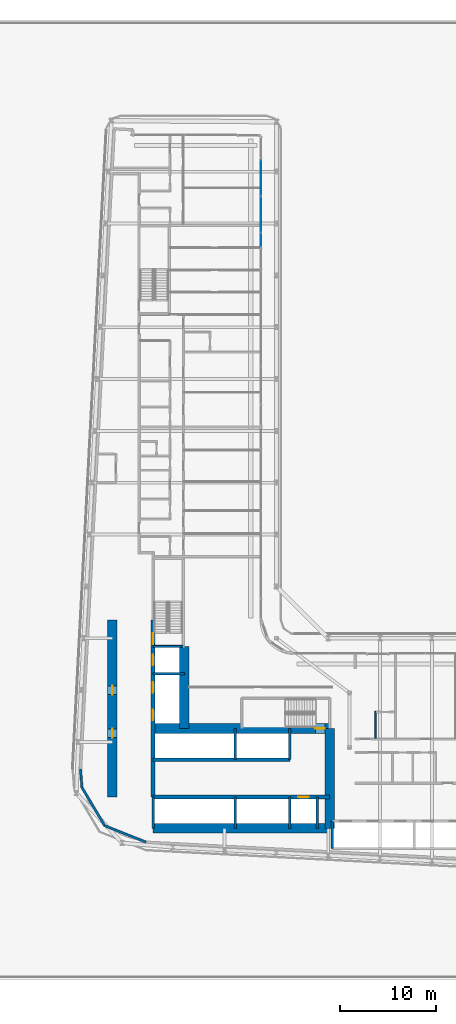
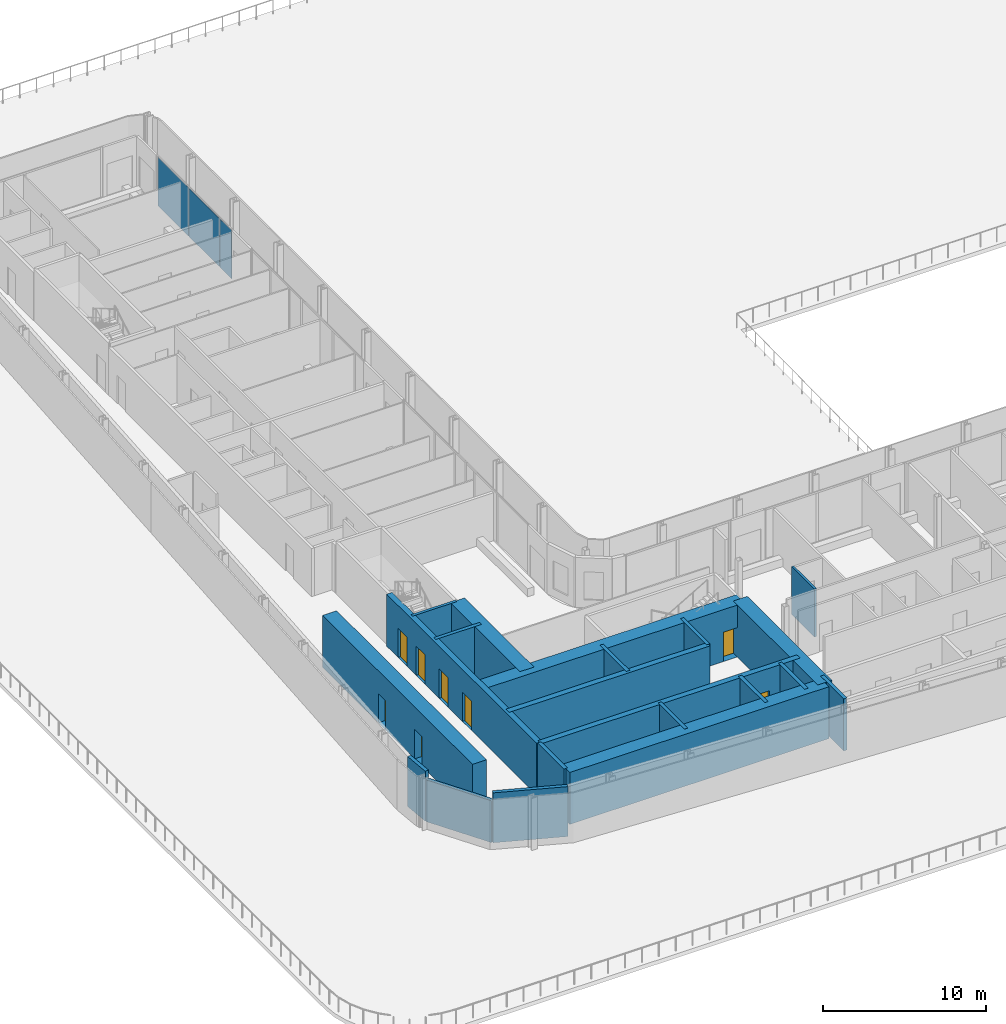
# One storey, part 12 of 27: 21 walls, 8 doors, 3 plates, 8 openings, 2 elements without a shape of their own.
"""IFC4 building model written with IfcOpenShell, lengths in metres."""

from ifc_helpers import new_model, si_unit, direction, frame, frame_2d, origin, origin_2d, place, context, subcontext, project, spatial, rectangle, extrude, source, transform, mapped, material, layer, layer_set, type_object, element, fill, aggregate, save


model = new_model("IFC4")

# Units and contexts
model_context = context("Model", 3, precision=1e-05, world=origin(), true_north=direction((0.0, 1.0)))
body_context = subcontext(model_context, "Body", "Model", "MODEL_VIEW")
ifc_project = project(units=[si_unit("LENGTHUNIT", "METRE"), si_unit("AREAUNIT", "SQUARE_METRE"), si_unit("VOLUMEUNIT", "CUBIC_METRE"), si_unit("PLANEANGLEUNIT", "RADIAN"), si_unit("MASSUNIT", "GRAM", prefix="KILO")], contexts=[model_context])

# Site, building, storey
site_placement = place(None, origin())
site = spatial("IfcSite", under=ifc_project, at=site_placement, CompositionType="ELEMENT")
building_placement = place(site_placement, origin())
building = spatial("IfcBuilding", under=site, at=building_placement, Name="Kheshtan School and Residences Tower", CompositionType="ELEMENT")
storey_placement = place(building_placement, frame((0.0, 0.0, 30.5)))
storey = spatial("IfcBuildingStorey", under=building, at=storey_placement, Name="L06", CompositionType="ELEMENT", Elevation=30.5)

# Curtain wall, plates
ifc_material_1 = material(Name="Clear low-e glass in thermally broken aluminium frame", Category="aluminium")
ifc_layer_1 = layer(ifc_material_1, 0.199951171875)
ifc_layer_set_1 = layer_set([ifc_layer_1], Name="Curtain wall CW-L")
curtain_wall_type = type_object("IfcCurtainWallType", Name="Curtain wall CW-L", PredefinedType="NOTDEFINED", material=ifc_layer_set_1)
curtain_wall_1_placement = place(storey_placement, origin())
curtain_wall_1 = element("IfcCurtainWall", 1, at=curtain_wall_1_placement, inside=storey, type_object=curtain_wall_type, Name="Curtain wall CWL8", PredefinedType="NOTDEFINED")
ifc_layer_2 = layer(ifc_material_1, 0.031982421875)
ifc_layer_set_2 = layer_set([ifc_layer_2], Name="CW-L glass panel")
plate_type = type_object("IfcPlateType", Name="CW-L glass panel", PredefinedType="CURTAIN_PANEL", material=ifc_layer_set_2)
plate_1_placement = place(storey_placement, frame((46.0, 93.5615234375, 0.0), z_axis=(0.0, 0.0, 1.0), x_axis=(0.0, -1.0, 0.0)))
plate_1 = element("IfcPlate", 2, at=plate_1_placement, type_object=plate_type, Name="CWL8 panel 1.1", PredefinedType="CURTAIN_PANEL", context=body_context, shape_type="SweptSolid", body=[
    extrude(rectangle(XDim=3.757080078125, YDim=0.031982421875, at=origin_2d()), origin(), (0.0, 0.0, 1.0), 3.6298828125),
])
plate_2_placement = place(storey_placement, frame((46.0, 89.744384765625, 0.0), z_axis=(0.0, 0.0, 1.0), x_axis=(0.0, -1.0, 0.0)))
plate_2 = element("IfcPlate", 3, at=plate_2_placement, type_object=plate_type, Name="CWL8 panel 2.1", PredefinedType="CURTAIN_PANEL", context=body_context, shape_type="SweptSolid", body=[
    extrude(rectangle(XDim=3.757080078125, YDim=0.031982421875, at=origin_2d()), origin(), (0.0, 0.0, 1.0), 3.6298828125),
])
aggregate(curtain_wall_1, [plate_1, plate_2])

# Curtain wall, plate
curtain_wall_2_placement = place(storey_placement, origin())
curtain_wall_2 = element("IfcCurtainWall", 4, at=curtain_wall_2_placement, inside=storey, type_object=curtain_wall_type, Name="Curtain wall CWL8a", PredefinedType="NOTDEFINED")
plate_3_placement = place(storey_placement, frame((46.0, 87.0859375, 0.0), z_axis=(0.0, 0.0, 1.0), x_axis=(0.0, -1.0, 0.0)))
plate_3 = element("IfcPlate", 5, at=plate_3_placement, type_object=plate_type, Name="CWL8a panel 1.1", PredefinedType="CURTAIN_PANEL", context=body_context, shape_type="SweptSolid", body=[
    extrude(rectangle(XDim=1.43994140625, YDim=0.031982421875, at=origin_2d()), origin(), (0.0, 0.0, 1.0), 3.6298828125),
])
aggregate(curtain_wall_2, [plate_3])

# Wall
ifc_material_2 = material(Name="Concrete C80/95", Category="concrete")
ifc_layer_3 = layer(ifc_material_2, 1.0)
ifc_layer_set_3 = layer_set([ifc_layer_3], Name="Core wall 1000 Concrete C80/95")
wall_type_1 = type_object("IfcWallType", Name="Core wall 1000 Concrete C80/95", PredefinedType="SHEAR", material=ifc_layer_set_3)
wall_1_placement = place(storey_placement, frame((34.75, 25.800048828125, 0.0), z_axis=(0.0, 0.0, 1.0), x_axis=(1.0, 0.0, 0.0)))
element("IfcWall", 6, at=wall_1_placement, inside=storey, type_object=wall_type_1, Name="Core wall CW-REAR-S", PredefinedType="SHEAR", context=body_context, shape_type="SweptSolid", body=[
    extrude(rectangle(XDim=18.39990234375, YDim=1.0, at=frame_2d((9.199951171875, 0.0))), origin(), (0.0, 0.0, 1.0), 3.89990234375),
])

# Wall, opening, door
wall_2_placement = place(storey_placement, frame((34.75, 36.199951171875, 0.0), z_axis=(0.0, 0.0, 1.0), x_axis=(1.0, 0.0, 0.0)))
wall_2 = element("IfcWall", 7, at=wall_2_placement, inside=storey, type_object=wall_type_1, Name="Core wall CW-FRONT-S", PredefinedType="SHEAR", context=body_context, shape_type="SweptSolid", body=[
    extrude(rectangle(XDim=18.39990234375, YDim=1.0, at=frame_2d((9.199951171875, 0.0))), origin(), (0.0, 0.0, 1.0), 3.89990234375),
])
opening_1_placement = place(wall_2_placement, frame((16.89990234375, 0.0, 0.0)))
opening_1 = element("IfcOpeningElement", 8, at=opening_1_placement, cuts=wall_2, Name="Opening ST1D", PredefinedType="OPENING", context=body_context, shape_type="SweptSolid", body=[
    extrude(rectangle(XDim=1.0, YDim=2.199951171875, at=frame_2d((0.5, 1.10009765625))), frame((0.0, 0.510009765625, 0.0), z_axis=(0.0, -1.0, 0.0), x_axis=(1.0, 0.0, 0.0)), (0.0, 0.0, 1.0), 1.02001953125),
])
ifc_material_3 = material(Name="Steel door leaf, galvanised", Category="steel")
door_type_1 = type_object("IfcDoorType", Name="Stair door 1100 steel 90 min", OperationType="SINGLE_SWING_LEFT", PredefinedType="DOOR", material=ifc_material_3)
shared_shape_1 = source(origin(), body_context, "Body", "SweptSolid", [
    extrude(rectangle(XDim=1.0, YDim=2.199951171875, at=frame_2d((0.5, 1.10009765625))), frame((0.0, 0.02490234375, 0.0), z_axis=(0.0, -1.0, 0.0), x_axis=(1.0, 0.0, 0.0)), (0.0, 0.0, 1.0), 0.050048828125),
])
door_1_placement = place(opening_1_placement, origin())
door_1 = element("IfcDoor", 9, at=door_1_placement, inside=storey, type_object=door_type_1, Name="Stair ST1 door", OperationType="SINGLE_SWING_RIGHT", OverallHeight=2.199951171875, OverallWidth=1.0, PredefinedType="DOOR", context=body_context, shape_type="MappedRepresentation", body=[
    mapped(shared_shape_1, transform((0.0, 0.0, 0.0), x_axis=(1.0, 0.0, 0.0), y_axis=(0.0, 1.0, 0.0), z_axis=(0.0, 0.0, 1.0), scale=1.0)),
])
fill(opening_1, door_1)

# Wall
wall_3_placement = place(storey_placement, frame((38.0, 36.199951171875, 0.0), z_axis=(0.0, 0.0, 1.0), x_axis=(0.0, 1.0, 0.0)))
element("IfcWall", 10, at=wall_3_placement, inside=storey, type_object=wall_type_1, Name="Core wall CW-FRONT-W", PredefinedType="SHEAR", context=body_context, shape_type="SweptSolid", body=[
    extrude(rectangle(XDim=8.550048828125, YDim=1.0, at=frame_2d((4.27490234375, 0.0))), origin(), (0.0, 0.0, 1.0), 3.89990234375),
])

# Wall, openings, doors
wall_4_placement = place(storey_placement, frame((30.5, 29.050048828125, 0.0), z_axis=(0.0, 0.0, 1.0), x_axis=(0.0, 1.0, 0.0)))
wall_4 = element("IfcWall", 11, at=wall_4_placement, inside=storey, type_object=wall_type_1, Name="Core wall CW-REAR-W", PredefinedType="SHEAR", context=body_context, shape_type="SweptSolid", body=[
    extrude(rectangle(XDim=18.449951171875, YDim=1.0, at=frame_2d((9.22509765625, 0.0))), origin(), (0.0, 0.0, 1.0), 3.89990234375),
])
opening_2_placement = place(wall_4_placement, frame((6.2099609375, 0.0, 0.0)))
opening_2 = element("IfcOpeningElement", 12, at=opening_2_placement, cuts=wall_4, Name="Opening SR90", PredefinedType="OPENING", context=body_context, shape_type="SweptSolid", body=[
    extrude(rectangle(XDim=0.89990234375, YDim=2.199951171875, at=frame_2d((0.449951171875, 1.10009765625))), frame((0.0, 0.510009765625, 0.0), z_axis=(0.0, -1.0, 0.0), x_axis=(1.0, 0.0, 0.0)), (0.0, 0.0, 1.0), 1.02001953125),
])
opening_3_placement = place(wall_4_placement, frame((10.68408203125, 0.0, 0.0)))
opening_3 = element("IfcOpeningElement", 13, at=opening_3_placement, cuts=wall_4, Name="Opening SR90", PredefinedType="OPENING", context=body_context, shape_type="SweptSolid", body=[
    extrude(rectangle(XDim=0.89990234375, YDim=2.199951171875, at=frame_2d((0.449951171875, 1.10009765625))), frame((0.0, 0.510009765625, 0.0), z_axis=(0.0, -1.0, 0.0), x_axis=(1.0, 0.0, 0.0)), (0.0, 0.0, 1.0), 1.02001953125),
])
door_type_2 = type_object("IfcDoorType", Name="Service room door 900 steel 90 min", OperationType="SINGLE_SWING_LEFT", PredefinedType="DOOR", material=ifc_material_3)
shared_shape_2 = source(origin(), body_context, "Body", "SweptSolid", [
    extrude(rectangle(XDim=0.89990234375, YDim=2.199951171875, at=frame_2d((0.449951171875, 1.10009765625))), frame((0.0, 0.02490234375, 0.0), z_axis=(0.0, -1.0, 0.0), x_axis=(1.0, 0.0, 0.0)), (0.0, 0.0, 1.0), 0.050048828125),
])
door_2_placement = place(opening_2_placement, origin())
door_2 = element("IfcDoor", 14, at=door_2_placement, inside=storey, type_object=door_type_2, Name="Service room door", OperationType="SINGLE_SWING_RIGHT", OverallHeight=2.199951171875, OverallWidth=0.89990234375, PredefinedType="DOOR", context=body_context, shape_type="MappedRepresentation", body=[
    mapped(shared_shape_2, transform((0.0, 0.0, 0.0), x_axis=(1.0, 0.0, 0.0), y_axis=(0.0, 1.0, 0.0), z_axis=(0.0, 0.0, 1.0), scale=1.0)),
])
fill(opening_2, door_2)
door_3_placement = place(opening_3_placement, origin())
door_3 = element("IfcDoor", 15, at=door_3_placement, inside=storey, type_object=door_type_2, Name="Service room door", OperationType="SINGLE_SWING_LEFT", OverallHeight=2.199951171875, OverallWidth=0.89990234375, PredefinedType="DOOR", context=body_context, shape_type="MappedRepresentation", body=[
    mapped(shared_shape_2, transform((0.0, 0.0, 0.0), x_axis=(1.0, 0.0, 0.0), y_axis=(0.0, 1.0, 0.0), z_axis=(0.0, 0.0, 1.0), scale=1.0)),
])
fill(opening_3, door_3)

# Wall
wall_5_placement = place(storey_placement, frame((53.14990234375, 25.800048828125, 0.0), z_axis=(0.0, 0.0, 1.0), x_axis=(0.0, 1.0, 0.0)))
element("IfcWall", 16, at=wall_5_placement, inside=storey, type_object=wall_type_1, Name="Core wall CW-EAST", PredefinedType="SHEAR", context=body_context, shape_type="SweptSolid", body=[
    extrude(rectangle(XDim=10.39990234375, YDim=1.0, at=frame_2d((5.199951171875, 0.0))), origin(), (0.0, 0.0, 1.0), 3.89990234375),
])

# Wall, opening, door
ifc_material_4 = material(Name="Concrete C50/60", Category="concrete")
ifc_layer_4 = layer(ifc_material_4, 0.39990234375)
ifc_layer_set_4 = layer_set([ifc_layer_4], Name="Core wall 400 Concrete C50/60")
wall_type_2 = type_object("IfcWallType", Name="Core wall 400 Concrete C50/60", PredefinedType="SHEAR", material=ifc_layer_set_4)
wall_6_placement = place(storey_placement, frame((34.75, 29.050048828125, 0.0), z_axis=(0.0, 0.0, 1.0), x_axis=(1.0, 0.0, 0.0)))
wall_6 = element("IfcWall", 17, at=wall_6_placement, inside=storey, type_object=wall_type_2, Name="Core wall CW-HALL-S1", PredefinedType="SHEAR", context=body_context, shape_type="SweptSolid", body=[
    extrude(rectangle(XDim=18.39990234375, YDim=0.39990234375, at=frame_2d((9.199951171875, 0.0))), origin(), (0.0, 0.0, 1.0), 3.89990234375),
])
opening_4_placement = place(wall_6_placement, frame((15.125, 0.0, 0.0)))
opening_4 = element("IfcOpeningElement", 18, at=opening_4_placement, cuts=wall_6, Name="Opening LD", PredefinedType="OPENING", context=body_context, shape_type="SweptSolid", body=[
    extrude(rectangle(XDim=1.10009765625, YDim=2.199951171875, at=frame_2d((0.550048828125, 1.10009765625))), frame((0.0, 0.2099609375, 0.0), z_axis=(0.0, -1.0, 0.0), x_axis=(1.0, 0.0, 0.0)), (0.0, 0.0, 1.0), 0.419921875),
])
ifc_material_5 = material(Name="Stainless steel door leaves", Category="steel")
door_type_3 = type_object("IfcDoorType", Name="Lift landing door 1100", OperationType="SLIDING_TO_LEFT", PredefinedType="DOOR", material=ifc_material_5)
shared_shape_3 = source(origin(), body_context, "Body", "SweptSolid", [
    extrude(rectangle(XDim=1.10009765625, YDim=2.199951171875, at=frame_2d((0.550048828125, 1.10009765625))), frame((0.0, 0.02490234375, 0.0), z_axis=(0.0, -1.0, 0.0), x_axis=(1.0, 0.0, 0.0)), (0.0, 0.0, 1.0), 0.050048828125),
])
door_4_placement = place(opening_4_placement, origin())
door_4 = element("IfcDoor", 19, at=door_4_placement, inside=storey, type_object=door_type_3, Name="Lift FFL2 landing door", OperationType="SLIDING_TO_LEFT", OverallHeight=2.199951171875, OverallWidth=1.10009765625, PredefinedType="DOOR", context=body_context, shape_type="MappedRepresentation", body=[
    mapped(shared_shape_3, transform((0.0, 0.0, 0.0), x_axis=(1.0, 0.0, 0.0), y_axis=(0.0, 1.0, 0.0), z_axis=(0.0, 0.0, 1.0), scale=1.0)),
])
fill(opening_4, door_4)

# Wall
wall_7_placement = place(storey_placement, frame((34.75, 32.949951171875, 0.0), z_axis=(0.0, 0.0, 1.0), x_axis=(1.0, 0.0, 0.0)))
element("IfcWall", 20, at=wall_7_placement, inside=storey, type_object=wall_type_2, Name="Core wall CW-HALL-S2", PredefinedType="SHEAR", context=body_context, shape_type="SweptSolid", body=[
    extrude(rectangle(XDim=14.25, YDim=0.39990234375, at=frame_2d((7.125, 0.0))), origin(), (0.0, 0.0, 1.0), 3.89990234375),
])

# Wall, openings, doors
wall_8_placement = place(storey_placement, frame((34.75, 29.050048828125, 0.0), z_axis=(0.0, 0.0, 1.0), x_axis=(0.0, 1.0, 0.0)))
wall_8 = element("IfcWall", 21, at=wall_8_placement, inside=storey, type_object=wall_type_2, Name="Core wall CW-HALL-W1", PredefinedType="SHEAR", context=body_context, shape_type="SweptSolid", body=[
    extrude(rectangle(XDim=18.449951171875, YDim=0.39990234375, at=frame_2d((9.22509765625, 0.0))), origin(), (0.0, 0.0, 1.0), 3.89990234375),
])
opening_5_placement = place(wall_8_placement, frame((8.02490234375, 0.0, 0.0)))
opening_5 = element("IfcOpeningElement", 22, at=opening_5_placement, cuts=wall_8, Name="Opening LD", PredefinedType="OPENING", context=body_context, shape_type="SweptSolid", body=[
    extrude(rectangle(XDim=1.10009765625, YDim=2.199951171875, at=frame_2d((0.550048828125, 1.10009765625))), frame((0.0, 0.2099609375, 0.0), z_axis=(0.0, -1.0, 0.0), x_axis=(1.0, 0.0, 0.0)), (0.0, 0.0, 1.0), 0.419921875),
])
opening_6_placement = place(wall_8_placement, frame((10.875, 0.0, 0.0)))
opening_6 = element("IfcOpeningElement", 23, at=opening_6_placement, cuts=wall_8, Name="Opening LD", PredefinedType="OPENING", context=body_context, shape_type="SweptSolid", body=[
    extrude(rectangle(XDim=1.10009765625, YDim=2.199951171875, at=frame_2d((0.550048828125, 1.10009765625))), frame((0.0, 0.2099609375, 0.0), z_axis=(0.0, -1.0, 0.0), x_axis=(1.0, 0.0, 0.0)), (0.0, 0.0, 1.0), 0.419921875),
])
opening_7_placement = place(wall_8_placement, frame((13.72509765625, 0.0, 0.0)))
opening_7 = element("IfcOpeningElement", 24, at=opening_7_placement, cuts=wall_8, Name="Opening LD", PredefinedType="OPENING", context=body_context, shape_type="SweptSolid", body=[
    extrude(rectangle(XDim=1.10009765625, YDim=2.199951171875, at=frame_2d((0.550048828125, 1.10009765625))), frame((0.0, 0.2099609375, 0.0), z_axis=(0.0, -1.0, 0.0), x_axis=(1.0, 0.0, 0.0)), (0.0, 0.0, 1.0), 0.419921875),
])
opening_8_placement = place(wall_8_placement, frame((15.949951171875, 0.0, 0.0)))
opening_8 = element("IfcOpeningElement", 25, at=opening_8_placement, cuts=wall_8, Name="Opening ST2D", PredefinedType="OPENING", context=body_context, shape_type="SweptSolid", body=[
    extrude(rectangle(XDim=1.10009765625, YDim=2.199951171875, at=frame_2d((0.550048828125, 1.10009765625))), frame((0.0, 0.2099609375, 0.0), z_axis=(0.0, -1.0, 0.0), x_axis=(1.0, 0.0, 0.0)), (0.0, 0.0, 1.0), 0.419921875),
])
door_5_placement = place(opening_5_placement, origin())
door_5 = element("IfcDoor", 26, at=door_5_placement, inside=storey, type_object=door_type_3, Name="Lift SV1 landing door", OperationType="SLIDING_TO_LEFT", OverallHeight=2.199951171875, OverallWidth=1.10009765625, PredefinedType="DOOR", context=body_context, shape_type="MappedRepresentation", body=[
    mapped(shared_shape_3, transform((0.0, 0.0, 0.0), x_axis=(1.0, 0.0, 0.0), y_axis=(0.0, 1.0, 0.0), z_axis=(0.0, 0.0, 1.0), scale=1.0)),
])
fill(opening_5, door_5)
door_6_placement = place(opening_6_placement, origin())
door_6 = element("IfcDoor", 27, at=door_6_placement, inside=storey, type_object=door_type_3, Name="Lift SV2 landing door", OperationType="SLIDING_TO_LEFT", OverallHeight=2.199951171875, OverallWidth=1.10009765625, PredefinedType="DOOR", context=body_context, shape_type="MappedRepresentation", body=[
    mapped(shared_shape_3, transform((0.0, 0.0, 0.0), x_axis=(1.0, 0.0, 0.0), y_axis=(0.0, 1.0, 0.0), z_axis=(0.0, 0.0, 1.0), scale=1.0)),
])
fill(opening_6, door_6)
door_7_placement = place(opening_7_placement, origin())
door_7 = element("IfcDoor", 28, at=door_7_placement, inside=storey, type_object=door_type_3, Name="Lift FFL1 landing door", OperationType="SLIDING_TO_LEFT", OverallHeight=2.199951171875, OverallWidth=1.10009765625, PredefinedType="DOOR", context=body_context, shape_type="MappedRepresentation", body=[
    mapped(shared_shape_3, transform((0.0, 0.0, 0.0), x_axis=(1.0, 0.0, 0.0), y_axis=(0.0, 1.0, 0.0), z_axis=(0.0, 0.0, 1.0), scale=1.0)),
])
fill(opening_7, door_7)
shared_shape_4 = source(origin(), body_context, "Body", "SweptSolid", [
    extrude(rectangle(XDim=1.10009765625, YDim=2.199951171875, at=frame_2d((0.550048828125, 1.10009765625))), frame((0.0, 0.02490234375, 0.0), z_axis=(0.0, -1.0, 0.0), x_axis=(1.0, 0.0, 0.0)), (0.0, 0.0, 1.0), 0.050048828125),
])
door_8_placement = place(opening_8_placement, origin())
door_8 = element("IfcDoor", 29, at=door_8_placement, inside=storey, type_object=door_type_1, Name="Stair ST2 door", OperationType="SINGLE_SWING_RIGHT", OverallHeight=2.199951171875, OverallWidth=1.10009765625, PredefinedType="DOOR", context=body_context, shape_type="MappedRepresentation", body=[
    mapped(shared_shape_4, transform((0.0, 0.0, 0.0), x_axis=(1.0, 0.0, 0.0), y_axis=(0.0, 1.0, 0.0), z_axis=(0.0, 0.0, 1.0), scale=1.0)),
])
fill(opening_8, door_8)

# Walls
ifc_material_6 = material(Name="Concrete C40/50 with ceramic cladding and mineral wool insulation", Category="concrete")
ifc_layer_5 = layer(ifc_material_6, 0.25)
ifc_layer_set_5 = layer_set([ifc_layer_5], Name="External wall 250 ceramic clad")
wall_type_3 = type_object("IfcWallType", Name="External wall 250 ceramic clad", PredefinedType="SOLIDWALL", material=ifc_layer_set_5)
wall_9_placement = place(storey_placement, frame((34.0390625, 24.35302734375, 0.0), z_axis=(0.0, 0.0, 1.0), x_axis=(-0.929352825399, 0.369192803184, 0.0)))
element("IfcWall", 30, at=wall_9_placement, inside=storey, type_object=wall_type_3, Name="External wall L06 1", PredefinedType="SOLIDWALL", context=body_context, shape_type="SweptSolid", body=[
    extrude(rectangle(XDim=4.656005859375, YDim=0.25, at=frame_2d((2.328125, 0.0))), origin(), (0.0, 0.0, 1.0), 3.75),
])
wall_10_placement = place(storey_placement, frame((29.7119140625, 26.072021484375, 0.0), z_axis=(0.0, 0.0, 1.0), x_axis=(-0.511028049012, 0.859564036662, 0.0)))
element("IfcWall", 31, at=wall_10_placement, inside=storey, type_object=wall_type_3, Name="External wall L06 2", PredefinedType="SOLIDWALL", context=body_context, shape_type="SweptSolid", body=[
    extrude(rectangle(XDim=4.633544921875, YDim=0.25, at=frame_2d((2.31689453125, 0.0))), origin(), (0.0, 0.0, 1.0), 3.133056640625),
])
wall_11_placement = place(storey_placement, frame((27.343994140625, 30.054931640625, 0.0), z_axis=(0.0, 0.0, 1.0), x_axis=(-0.077571675317, 0.99698677784, 0.0)))
element("IfcWall", 32, at=wall_11_placement, inside=storey, type_object=wall_type_3, Name="External wall L06 3", PredefinedType="SOLIDWALL", context=body_context, shape_type="SweptSolid", body=[
    extrude(rectangle(XDim=1.919921875, YDim=0.25, at=frame_2d((0.9599609375, 0.0))), origin(), (0.0, 0.0, 1.0), 3.75),
])
ifc_material_7 = material(Name="Fire-board shaft wall system")
ifc_layer_6 = layer(ifc_material_7, 0.25)
ifc_layer_set_6 = layer_set([ifc_layer_6], Name="Shaft lining wall 250")
wall_type_4 = type_object("IfcWallType", Name="Shaft lining wall 250", PredefinedType="PARTITIONING", material=ifc_layer_set_6)
for number, where, z_axis, x_axis, name in (
    (33, (34.75, 25.800048828125, 0.0), (0.0, 0.0, 1.0), (0.0, 1.0, 0.0), "Shaft lining wall"),
    (34, (43.300048828125, 25.800048828125, 0.0), (0.0, 0.0, 1.0), (0.0, 1.0, 0.0), "Shaft lining wall"),
    (35, (43.300048828125, 32.949951171875, 0.0), (0.0, 0.0, 1.0), (0.0, 1.0, 0.0), "Shaft lining wall"),
    (36, (49.0, 25.800048828125, 0.0), (0.0, 0.0, 1.0), (0.0, 1.0, 0.0), "Shaft lining wall"),
    (37, (49.0, 32.949951171875, 0.0), (0.0, 0.0, 1.0), (0.0, 1.0, 0.0), "Shaft lining wall"),
    (38, (51.85009765625, 25.800048828125, 0.0), (0.0, 0.0, 1.0), (0.0, 1.0, 0.0), "Shaft lining wall"),
):
    element("IfcWall", number, at=place(storey_placement, frame(where, z_axis=z_axis, x_axis=x_axis)), inside=storey, type_object=wall_type_4, Name=name, PredefinedType="PARTITIONING", context=body_context, shape_type="SweptSolid", body=[
        extrude(rectangle(XDim=3.25, YDim=0.25, at=frame_2d((1.625, 0.0))), origin(), (0.0, 0.0, 1.0), 3.89990234375),
    ])
wall_12_placement = place(storey_placement, frame((53.39990234375, 23.699951171875, 0.0), z_axis=(0.0, 0.0, 1.0), x_axis=(0.0, 1.0, 0.0)))
element("IfcWall", 39, at=wall_12_placement, inside=storey, type_object=wall_type_4, Name="Shaft lining wall", PredefinedType="PARTITIONING", context=body_context, shape_type="SweptSolid", body=[
    extrude(rectangle(XDim=2.85009765625, YDim=0.25, at=frame_2d((1.425048828125, 0.0))), origin(), (0.0, 0.0, 1.0), 3.89990234375),
])
wall_13_placement = place(storey_placement, frame((34.75, 41.89990234375, 0.0), z_axis=(0.0, 0.0, 1.0), x_axis=(1.0, 0.0, 0.0)))
element("IfcWall", 40, at=wall_13_placement, inside=storey, type_object=wall_type_4, Name="Shaft lining wall", PredefinedType="PARTITIONING", context=body_context, shape_type="SweptSolid", body=[
    extrude(rectangle(XDim=3.25, YDim=0.25, at=frame_2d((1.625, 0.0))), origin(), (0.0, 0.0, 1.0), 3.89990234375),
])
ifc_material_8 = material(Name="Concrete C40/50", Category="concrete")
ifc_layer_7 = layer(ifc_material_8, 0.199951171875)
ifc_layer_set_7 = layer_set([ifc_layer_7], Name="Stair enclosure wall 200 Concrete C40/50")
wall_type_5 = type_object("IfcWallType", Name="Stair enclosure wall 200 Concrete C40/50", PredefinedType="SHEAR", material=ifc_layer_set_7)
wall_14_placement = place(storey_placement, frame((34.75, 44.75, 0.0), z_axis=(0.0, 0.0, 1.0), x_axis=(1.0, 0.0, 0.0)))
element("IfcWall", 41, at=wall_14_placement, inside=storey, type_object=wall_type_5, Name="Stair enclosure wall ST2", PredefinedType="SHEAR", context=body_context, shape_type="SweptSolid", body=[
    extrude(rectangle(XDim=3.14990234375, YDim=0.199951171875, at=frame_2d((1.574951171875, 0.0))), origin(), (0.0, 0.0, 1.0), 3.89990234375),
])
ifc_material_9 = material(Name="Moisture-resistant gypsum board on steel studs", Category="steel")
ifc_layer_8 = layer(ifc_material_9, 0.14990234375)
ifc_layer_set_8 = layer_set([ifc_layer_8], Name="Wet-room partition 150")
wall_type_6 = type_object("IfcWallType", Name="Wet-room partition 150", PredefinedType="PARTITIONING", material=ifc_layer_set_8)
wall_15_placement = place(storey_placement, frame((57.89990234375, 35.175048828125, 0.0), z_axis=(0.0, 0.0, 1.0), x_axis=(0.0, 1.0, 0.0)))
element("IfcWall", 42, at=wall_15_placement, inside=storey, type_object=wall_type_6, Name="Partition L06-049", PredefinedType="PARTITIONING", context=body_context, shape_type="SweptSolid", body=[
    extrude(rectangle(XDim=2.800048828125, YDim=0.14990234375, at=frame_2d((1.39990234375, 0.0))), origin(), (0.0, 0.0, 1.0), 3.60009765625),
])

save(model, "model.ifc")
